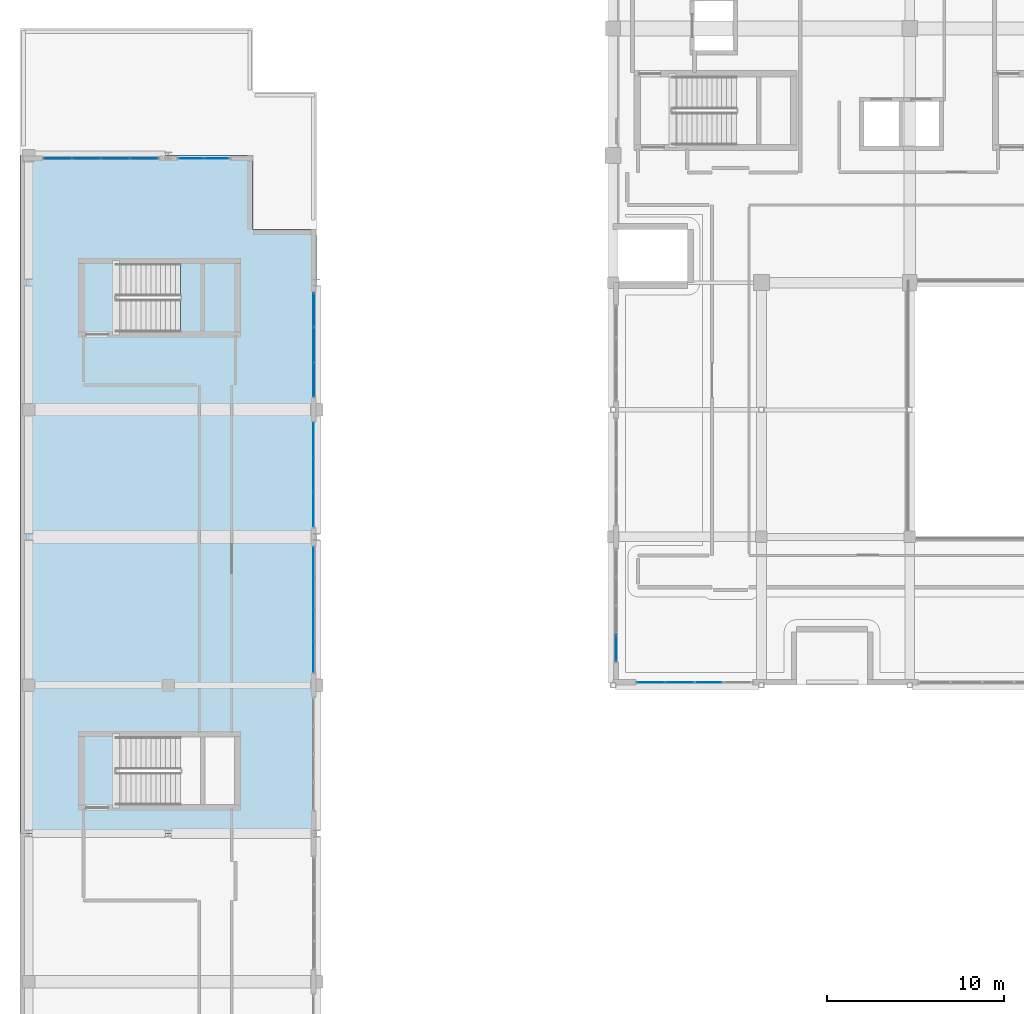
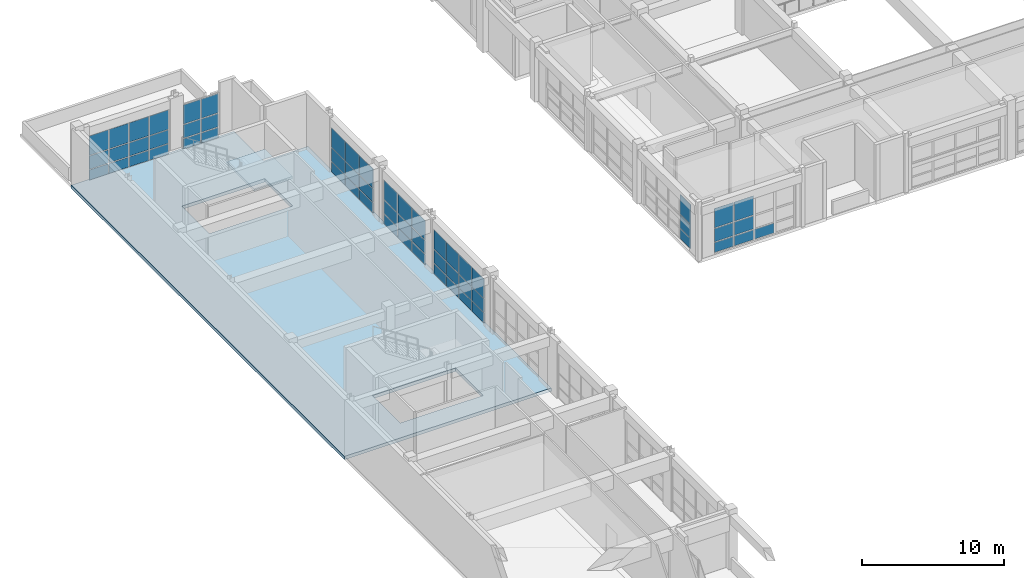
# One storey, part 51 of 78: 58 plates, 2 slabs, 8 elements without a shape of their own.
"""IFC4 building model written with IfcOpenShell, lengths in metres."""

from ifc_helpers import new_model, si_unit, direction, frame, origin, origin_2d, place, context, subcontext, project, spatial, polyline, rectangle, outline, extrude, material, layer, layer_set, type_object, element, aggregate, save


model = new_model("IFC4")

# Units and contexts
model_context = context("Model", 3, precision=1e-05, world=origin(), true_north=direction((0.0, 1.0)))
body_context = subcontext(model_context, "Body", "Model", "MODEL_VIEW")
ifc_project = project(units=[si_unit("LENGTHUNIT", "METRE"), si_unit("AREAUNIT", "SQUARE_METRE"), si_unit("VOLUMEUNIT", "CUBIC_METRE"), si_unit("PLANEANGLEUNIT", "RADIAN"), si_unit("MASSUNIT", "GRAM", prefix="KILO")], contexts=[model_context])

# Site, building, storey
site_placement = place(None, origin())
site = spatial("IfcSite", under=ifc_project, at=site_placement, CompositionType="ELEMENT")
building_placement = place(site_placement, origin())
building = spatial("IfcBuilding", under=site, at=building_placement, Name="Quendrovan Civic Courthouse", CompositionType="ELEMENT")
storey_placement = place(building_placement, frame((0.0, 0.0, 10.199951171875)))
storey = spatial("IfcBuildingStorey", under=building, at=storey_placement, Name="L03", CompositionType="ELEMENT", Elevation=10.199951171875)

# Curtain wall, plates
ifc_material_1 = material(Name="Bronze anodised aluminium and low-E glass", Category="aluminium")
ifc_layer_1 = layer(ifc_material_1, 0.179931640625, Name="Bronze anodised aluminium and low-E glass")
ifc_layer_set_1 = layer_set([ifc_layer_1], Name="Bronze anodised aluminium and low-E glass")
curtain_wall_type_1 = type_object("IfcCurtainWallType", Name="CW-U60x39", PredefinedType="USERDEFINED", material=ifc_layer_set_1)
curtain_wall_1_placement = place(storey_placement, origin())
curtain_wall_1 = element("IfcCurtainWall", 1, at=curtain_wall_1_placement, inside=storey, type_object=curtain_wall_type_1, Name="L03 Unitised Hurricane Curtain Wall CW-120", ObjectType="UNITISED CURTAIN WALL", PredefinedType="USERDEFINED")
ifc_material_2 = material(Name="Laminated hurricane-impact low-E glass", Category="glass")
ifc_layer_2 = layer(ifc_material_2, 0.028076171875, Name="Laminated hurricane-impact low-E glass")
ifc_layer_set_2 = layer_set([ifc_layer_2], Name="Laminated hurricane-impact low-E glass")
plate_type_1 = type_object("IfcPlateType", Name="CW-PNL-1", PredefinedType="CURTAIN_PANEL", material=ifc_layer_set_2)
plate_1_placement = place(storey_placement, frame((16.635009765625, 78.688720703125, 0.06982421875), z_axis=(0.0, 0.0, 1.0), x_axis=(0.0, -1.0, 0.0)))
plate_1 = element("IfcPlate", 2, at=plate_1_placement, type_object=plate_type_1, Name="CW-120 panel 1.1", PredefinedType="CURTAIN_PANEL", context=body_context, shape_type="SweptSolid", body=[
    extrude(rectangle(XDim=1.882568359375, YDim=0.028076171875, at=origin_2d()), origin(), (0.0, 0.0, 1.0), 0.844970703125),
])
plate_2_placement = place(storey_placement, frame((16.635009765625, 78.688720703125, 0.985107421875), z_axis=(0.0, 0.0, 1.0), x_axis=(0.0, -1.0, 0.0)))
plate_2 = element("IfcPlate", 3, at=plate_2_placement, type_object=plate_type_1, Name="CW-120 panel 1.2", PredefinedType="CURTAIN_PANEL", context=body_context, shape_type="SweptSolid", body=[
    extrude(rectangle(XDim=1.882568359375, YDim=0.028076171875, at=origin_2d()), origin(), (0.0, 0.0, 1.0), 1.1298828125),
])
plate_3_placement = place(storey_placement, frame((16.635009765625, 78.688720703125, 2.18505859375), z_axis=(0.0, 0.0, 1.0), x_axis=(0.0, -1.0, 0.0)))
plate_3 = element("IfcPlate", 4, at=plate_3_placement, type_object=plate_type_1, Name="CW-120 panel 1.3", PredefinedType="CURTAIN_PANEL", context=body_context, shape_type="SweptSolid", body=[
    extrude(rectangle(XDim=1.882568359375, YDim=0.028076171875, at=origin_2d()), origin(), (0.0, 0.0, 1.0), 1.64501953125),
])
plate_4_placement = place(storey_placement, frame((16.635009765625, 76.718505859375, 0.06982421875), z_axis=(0.0, 0.0, 1.0), x_axis=(0.0, -1.0, 0.0)))
plate_4 = element("IfcPlate", 5, at=plate_4_placement, type_object=plate_type_1, Name="CW-120 panel 2.1", PredefinedType="CURTAIN_PANEL", context=body_context, shape_type="SweptSolid", body=[
    extrude(rectangle(XDim=1.917724609375, YDim=0.028076171875, at=origin_2d()), origin(), (0.0, 0.0, 1.0), 0.844970703125),
])
plate_5_placement = place(storey_placement, frame((16.635009765625, 76.718505859375, 0.985107421875), z_axis=(0.0, 0.0, 1.0), x_axis=(0.0, -1.0, 0.0)))
plate_5 = element("IfcPlate", 6, at=plate_5_placement, type_object=plate_type_1, Name="CW-120 panel 2.2", PredefinedType="CURTAIN_PANEL", context=body_context, shape_type="SweptSolid", body=[
    extrude(rectangle(XDim=1.917724609375, YDim=0.028076171875, at=origin_2d()), origin(), (0.0, 0.0, 1.0), 1.1298828125),
])
plate_6_placement = place(storey_placement, frame((16.635009765625, 76.718505859375, 2.18505859375), z_axis=(0.0, 0.0, 1.0), x_axis=(0.0, -1.0, 0.0)))
plate_6 = element("IfcPlate", 7, at=plate_6_placement, type_object=plate_type_1, Name="CW-120 panel 2.3", PredefinedType="CURTAIN_PANEL", context=body_context, shape_type="SweptSolid", body=[
    extrude(rectangle(XDim=1.917724609375, YDim=0.028076171875, at=origin_2d()), origin(), (0.0, 0.0, 1.0), 1.64501953125),
])
plate_7_placement = place(storey_placement, frame((16.635009765625, 74.748291015625, 0.06982421875), z_axis=(0.0, 0.0, 1.0), x_axis=(0.0, -1.0, 0.0)))
plate_7 = element("IfcPlate", 8, at=plate_7_placement, type_object=plate_type_1, Name="CW-120 panel 3.1", PredefinedType="CURTAIN_PANEL", context=body_context, shape_type="SweptSolid", body=[
    extrude(rectangle(XDim=1.882568359375, YDim=0.028076171875, at=origin_2d()), origin(), (0.0, 0.0, 1.0), 0.844970703125),
])
plate_8_placement = place(storey_placement, frame((16.635009765625, 74.748291015625, 0.985107421875), z_axis=(0.0, 0.0, 1.0), x_axis=(0.0, -1.0, 0.0)))
plate_8 = element("IfcPlate", 9, at=plate_8_placement, type_object=plate_type_1, Name="CW-120 panel 3.2", PredefinedType="CURTAIN_PANEL", context=body_context, shape_type="SweptSolid", body=[
    extrude(rectangle(XDim=1.882568359375, YDim=0.028076171875, at=origin_2d()), origin(), (0.0, 0.0, 1.0), 1.1298828125),
])
plate_9_placement = place(storey_placement, frame((16.635009765625, 74.748291015625, 2.18505859375), z_axis=(0.0, 0.0, 1.0), x_axis=(0.0, -1.0, 0.0)))
plate_9 = element("IfcPlate", 10, at=plate_9_placement, type_object=plate_type_1, Name="CW-120 panel 3.3", PredefinedType="CURTAIN_PANEL", context=body_context, shape_type="SweptSolid", body=[
    extrude(rectangle(XDim=1.882568359375, YDim=0.028076171875, at=origin_2d()), origin(), (0.0, 0.0, 1.0), 1.64501953125),
])
aggregate(curtain_wall_1, [plate_1, plate_2, plate_3, plate_4, plate_5, plate_6, plate_7, plate_8, plate_9])

ifc_layer_3 = layer(ifc_material_1, 0.179931640625, Name="Bronze anodised aluminium and low-E glass")
ifc_layer_set_3 = layer_set([ifc_layer_3], Name="Bronze anodised aluminium and low-E glass")
curtain_wall_type_2 = type_object("IfcCurtainWallType", Name="CW-U66x39", PredefinedType="USERDEFINED", material=ifc_layer_set_3)
curtain_wall_2_placement = place(storey_placement, origin())
curtain_wall_2 = element("IfcCurtainWall", 11, at=curtain_wall_2_placement, inside=storey, type_object=curtain_wall_type_2, Name="L03 Unitised Hurricane Curtain Wall CW-136", ObjectType="UNITISED CURTAIN WALL", PredefinedType="USERDEFINED")
plate_10_placement = place(storey_placement, frame((39.02490234375, 64.965087890625, 0.06982421875), z_axis=(0.0, 0.0, 1.0), x_axis=(-1.0, 0.0, 0.0)))
plate_10 = element("IfcPlate", 12, at=plate_10_placement, type_object=plate_type_1, Name="CW-136 panel 2.1", PredefinedType="CURTAIN_PANEL", context=body_context, shape_type="SweptSolid", body=[
    extrude(rectangle(XDim=1.580078125, YDim=0.028076171875, at=origin_2d()), origin(), (0.0, 0.0, 1.0), 0.844970703125),
])
plate_11_placement = place(storey_placement, frame((37.375, 64.965087890625, 0.06982421875), z_axis=(0.0, 0.0, 1.0), x_axis=(-1.0, 0.0, 0.0)))
plate_11 = element("IfcPlate", 13, at=plate_11_placement, type_object=plate_type_1, Name="CW-136 panel 3.1", PredefinedType="CURTAIN_PANEL", context=body_context, shape_type="SweptSolid", body=[
    extrude(rectangle(XDim=1.580078125, YDim=0.028076171875, at=origin_2d()), origin(), (0.0, 0.0, 1.0), 0.844970703125),
])
plate_12_placement = place(storey_placement, frame((37.375, 64.965087890625, 0.985107421875), z_axis=(0.0, 0.0, 1.0), x_axis=(-1.0, 0.0, 0.0)))
plate_12 = element("IfcPlate", 14, at=plate_12_placement, type_object=plate_type_1, Name="CW-136 panel 3.2", PredefinedType="CURTAIN_PANEL", context=body_context, shape_type="SweptSolid", body=[
    extrude(rectangle(XDim=1.580078125, YDim=0.028076171875, at=origin_2d()), origin(), (0.0, 0.0, 1.0), 1.1298828125),
])
plate_13_placement = place(storey_placement, frame((37.375, 64.965087890625, 2.18505859375), z_axis=(0.0, 0.0, 1.0), x_axis=(-1.0, 0.0, 0.0)))
plate_13 = element("IfcPlate", 15, at=plate_13_placement, type_object=plate_type_1, Name="CW-136 panel 3.3", PredefinedType="CURTAIN_PANEL", context=body_context, shape_type="SweptSolid", body=[
    extrude(rectangle(XDim=1.580078125, YDim=0.028076171875, at=origin_2d()), origin(), (0.0, 0.0, 1.0), 1.64501953125),
])
plate_14_placement = place(storey_placement, frame((35.742431640625, 64.965087890625, 0.06982421875), z_axis=(0.0, 0.0, 1.0), x_axis=(-1.0, 0.0, 0.0)))
plate_14 = element("IfcPlate", 16, at=plate_14_placement, type_object=plate_type_1, Name="CW-136 panel 4.1", PredefinedType="CURTAIN_PANEL", context=body_context, shape_type="SweptSolid", body=[
    extrude(rectangle(XDim=1.544921875, YDim=0.028076171875, at=origin_2d()), origin(), (0.0, 0.0, 1.0), 0.844970703125),
])
plate_15_placement = place(storey_placement, frame((35.742431640625, 64.965087890625, 0.985107421875), z_axis=(0.0, 0.0, 1.0), x_axis=(-1.0, 0.0, 0.0)))
plate_15 = element("IfcPlate", 17, at=plate_15_placement, type_object=plate_type_1, Name="CW-136 panel 4.2", PredefinedType="CURTAIN_PANEL", context=body_context, shape_type="SweptSolid", body=[
    extrude(rectangle(XDim=1.544921875, YDim=0.028076171875, at=origin_2d()), origin(), (0.0, 0.0, 1.0), 1.1298828125),
])
plate_16_placement = place(storey_placement, frame((35.742431640625, 64.965087890625, 2.18505859375), z_axis=(0.0, 0.0, 1.0), x_axis=(-1.0, 0.0, 0.0)))
plate_16 = element("IfcPlate", 18, at=plate_16_placement, type_object=plate_type_1, Name="CW-136 panel 4.3", PredefinedType="CURTAIN_PANEL", context=body_context, shape_type="SweptSolid", body=[
    extrude(rectangle(XDim=1.544921875, YDim=0.028076171875, at=origin_2d()), origin(), (0.0, 0.0, 1.0), 1.64501953125),
])
aggregate(curtain_wall_2, [plate_10, plate_11, plate_12, plate_13, plate_14, plate_15, plate_16])

curtain_wall_3_placement = place(storey_placement, origin())
curtain_wall_3 = element("IfcCurtainWall", 19, at=curtain_wall_3_placement, inside=storey, type_object=curtain_wall_type_2, Name="L03 Unitised Hurricane Curtain Wall CW-117", ObjectType="UNITISED CURTAIN WALL", PredefinedType="USERDEFINED")
ifc_layer_4 = layer(ifc_material_2, 0.031982421875, Name="Laminated hurricane-impact low-E glass")
ifc_layer_set_4 = layer_set([ifc_layer_4], Name="Laminated hurricane-impact low-E glass")
plate_type_2 = type_object("IfcPlateType", Name="CW-PNL-2", PredefinedType="CURTAIN_PANEL", material=ifc_layer_set_4)
plate_17_placement = place(storey_placement, frame((2.13671875, 94.635009765625, 0.06494140625), z_axis=(0.0, 0.0, 1.0), x_axis=(1.0, 0.0, 0.0)))
plate_17 = element("IfcPlate", 20, at=plate_17_placement, type_object=plate_type_2, Name="CW-117 panel 1.1", PredefinedType="CURTAIN_PANEL", context=body_context, shape_type="SweptSolid", body=[
    extrude(rectangle(XDim=1.543212890625, YDim=0.031982421875, at=origin_2d()), origin(), (0.0, 0.0, 1.0), 0.8525390625),
])
plate_18_placement = place(storey_placement, frame((2.13671875, 94.635009765625, 0.982421875), z_axis=(0.0, 0.0, 1.0), x_axis=(1.0, 0.0, 0.0)))
plate_18 = element("IfcPlate", 21, at=plate_18_placement, type_object=plate_type_2, Name="CW-117 panel 1.2", PredefinedType="CURTAIN_PANEL", context=body_context, shape_type="SweptSolid", body=[
    extrude(rectangle(XDim=1.543212890625, YDim=0.031982421875, at=origin_2d()), origin(), (0.0, 0.0, 1.0), 1.135009765625),
])
plate_19_placement = place(storey_placement, frame((2.13671875, 94.635009765625, 2.1826171875), z_axis=(0.0, 0.0, 1.0), x_axis=(1.0, 0.0, 0.0)))
plate_19 = element("IfcPlate", 22, at=plate_19_placement, type_object=plate_type_2, Name="CW-117 panel 1.3", PredefinedType="CURTAIN_PANEL", context=body_context, shape_type="SweptSolid", body=[
    extrude(rectangle(XDim=1.543212890625, YDim=0.031982421875, at=origin_2d()), origin(), (0.0, 0.0, 1.0), 1.652587890625),
])
plate_20_placement = place(storey_placement, frame((3.76123046875, 94.635009765625, 0.06494140625), z_axis=(0.0, 0.0, 1.0), x_axis=(1.0, 0.0, 0.0)))
plate_20 = element("IfcPlate", 23, at=plate_20_placement, type_object=plate_type_2, Name="CW-117 panel 2.1", PredefinedType="CURTAIN_PANEL", context=body_context, shape_type="SweptSolid", body=[
    extrude(rectangle(XDim=1.57568359375, YDim=0.031982421875, at=origin_2d()), origin(), (0.0, 0.0, 1.0), 0.8525390625),
])
plate_21_placement = place(storey_placement, frame((3.76123046875, 94.635009765625, 0.982421875), z_axis=(0.0, 0.0, 1.0), x_axis=(1.0, 0.0, 0.0)))
plate_21 = element("IfcPlate", 24, at=plate_21_placement, type_object=plate_type_2, Name="CW-117 panel 2.2", PredefinedType="CURTAIN_PANEL", context=body_context, shape_type="SweptSolid", body=[
    extrude(rectangle(XDim=1.57568359375, YDim=0.031982421875, at=origin_2d()), origin(), (0.0, 0.0, 1.0), 1.135009765625),
])
plate_22_placement = place(storey_placement, frame((3.76123046875, 94.635009765625, 2.1826171875), z_axis=(0.0, 0.0, 1.0), x_axis=(1.0, 0.0, 0.0)))
plate_22 = element("IfcPlate", 25, at=plate_22_placement, type_object=plate_type_2, Name="CW-117 panel 2.3", PredefinedType="CURTAIN_PANEL", context=body_context, shape_type="SweptSolid", body=[
    extrude(rectangle(XDim=1.57568359375, YDim=0.031982421875, at=origin_2d()), origin(), (0.0, 0.0, 1.0), 1.652587890625),
])
plate_23_placement = place(storey_placement, frame((5.40185546875, 94.635009765625, 0.06494140625), z_axis=(0.0, 0.0, 1.0), x_axis=(1.0, 0.0, 0.0)))
plate_23 = element("IfcPlate", 26, at=plate_23_placement, type_object=plate_type_2, Name="CW-117 panel 3.1", PredefinedType="CURTAIN_PANEL", context=body_context, shape_type="SweptSolid", body=[
    extrude(rectangle(XDim=1.57568359375, YDim=0.031982421875, at=origin_2d()), origin(), (0.0, 0.0, 1.0), 0.8525390625),
])
plate_24_placement = place(storey_placement, frame((5.40185546875, 94.635009765625, 0.982421875), z_axis=(0.0, 0.0, 1.0), x_axis=(1.0, 0.0, 0.0)))
plate_24 = element("IfcPlate", 27, at=plate_24_placement, type_object=plate_type_2, Name="CW-117 panel 3.2", PredefinedType="CURTAIN_PANEL", context=body_context, shape_type="SweptSolid", body=[
    extrude(rectangle(XDim=1.57568359375, YDim=0.031982421875, at=origin_2d()), origin(), (0.0, 0.0, 1.0), 1.135009765625),
])
plate_25_placement = place(storey_placement, frame((5.40185546875, 94.635009765625, 2.1826171875), z_axis=(0.0, 0.0, 1.0), x_axis=(1.0, 0.0, 0.0)))
plate_25 = element("IfcPlate", 28, at=plate_25_placement, type_object=plate_type_2, Name="CW-117 panel 3.3", PredefinedType="CURTAIN_PANEL", context=body_context, shape_type="SweptSolid", body=[
    extrude(rectangle(XDim=1.57568359375, YDim=0.031982421875, at=origin_2d()), origin(), (0.0, 0.0, 1.0), 1.652587890625),
])
plate_26_placement = place(storey_placement, frame((7.0263671875, 94.635009765625, 0.06494140625), z_axis=(0.0, 0.0, 1.0), x_axis=(1.0, 0.0, 0.0)))
plate_26 = element("IfcPlate", 29, at=plate_26_placement, type_object=plate_type_2, Name="CW-117 panel 4.1", PredefinedType="CURTAIN_PANEL", context=body_context, shape_type="SweptSolid", body=[
    extrude(rectangle(XDim=1.543212890625, YDim=0.031982421875, at=origin_2d()), origin(), (0.0, 0.0, 1.0), 0.8525390625),
])
plate_27_placement = place(storey_placement, frame((7.0263671875, 94.635009765625, 0.982421875), z_axis=(0.0, 0.0, 1.0), x_axis=(1.0, 0.0, 0.0)))
plate_27 = element("IfcPlate", 30, at=plate_27_placement, type_object=plate_type_2, Name="CW-117 panel 4.2", PredefinedType="CURTAIN_PANEL", context=body_context, shape_type="SweptSolid", body=[
    extrude(rectangle(XDim=1.543212890625, YDim=0.031982421875, at=origin_2d()), origin(), (0.0, 0.0, 1.0), 1.135009765625),
])
plate_28_placement = place(storey_placement, frame((7.0263671875, 94.635009765625, 2.1826171875), z_axis=(0.0, 0.0, 1.0), x_axis=(1.0, 0.0, 0.0)))
plate_28 = element("IfcPlate", 31, at=plate_28_placement, type_object=plate_type_2, Name="CW-117 panel 4.3", PredefinedType="CURTAIN_PANEL", context=body_context, shape_type="SweptSolid", body=[
    extrude(rectangle(XDim=1.543212890625, YDim=0.031982421875, at=origin_2d()), origin(), (0.0, 0.0, 1.0), 1.652587890625),
])
aggregate(curtain_wall_3, [plate_17, plate_18, plate_19, plate_20, plate_21, plate_22, plate_23, plate_24, plate_25, plate_26, plate_27, plate_28])

ifc_layer_5 = layer(ifc_material_1, 0.179931640625, Name="Bronze anodised aluminium and low-E glass")
ifc_layer_set_5 = layer_set([ifc_layer_5], Name="Bronze anodised aluminium and low-E glass")
curtain_wall_type_3 = type_object("IfcCurtainWallType", Name="CW-U72x39", PredefinedType="USERDEFINED", material=ifc_layer_set_5)
curtain_wall_4_placement = place(storey_placement, origin())
curtain_wall_4 = element("IfcCurtainWall", 32, at=curtain_wall_4_placement, inside=storey, type_object=curtain_wall_type_3, Name="L03 Unitised Hurricane Curtain Wall CW-121", ObjectType="UNITISED CURTAIN WALL", PredefinedType="USERDEFINED")
plate_29_placement = place(storey_placement, frame((16.635009765625, 71.75146484375, 0.06494140625), z_axis=(0.0, 0.0, 1.0), x_axis=(0.0, -1.0, 0.0)))
plate_29 = element("IfcPlate", 33, at=plate_29_placement, type_object=plate_type_2, Name="CW-121 panel 1.1", PredefinedType="CURTAIN_PANEL", context=body_context, shape_type="SweptSolid", body=[
    extrude(rectangle(XDim=1.693359375, YDim=0.031982421875, at=origin_2d()), origin(), (0.0, 0.0, 1.0), 0.8525390625),
])
plate_30_placement = place(storey_placement, frame((16.635009765625, 71.75146484375, 0.982421875), z_axis=(0.0, 0.0, 1.0), x_axis=(0.0, -1.0, 0.0)))
plate_30 = element("IfcPlate", 34, at=plate_30_placement, type_object=plate_type_2, Name="CW-121 panel 1.2", PredefinedType="CURTAIN_PANEL", context=body_context, shape_type="SweptSolid", body=[
    extrude(rectangle(XDim=1.693359375, YDim=0.031982421875, at=origin_2d()), origin(), (0.0, 0.0, 1.0), 1.135009765625),
])
plate_31_placement = place(storey_placement, frame((16.635009765625, 71.75146484375, 2.1826171875), z_axis=(0.0, 0.0, 1.0), x_axis=(0.0, -1.0, 0.0)))
plate_31 = element("IfcPlate", 35, at=plate_31_placement, type_object=plate_type_2, Name="CW-121 panel 1.3", PredefinedType="CURTAIN_PANEL", context=body_context, shape_type="SweptSolid", body=[
    extrude(rectangle(XDim=1.693359375, YDim=0.031982421875, at=origin_2d()), origin(), (0.0, 0.0, 1.0), 1.652587890625),
])
plate_32_placement = place(storey_placement, frame((16.635009765625, 69.976806640625, 0.06494140625), z_axis=(0.0, 0.0, 1.0), x_axis=(0.0, -1.0, 0.0)))
plate_32 = element("IfcPlate", 36, at=plate_32_placement, type_object=plate_type_2, Name="CW-121 panel 2.1", PredefinedType="CURTAIN_PANEL", context=body_context, shape_type="SweptSolid", body=[
    extrude(rectangle(XDim=1.725830078125, YDim=0.031982421875, at=origin_2d()), origin(), (0.0, 0.0, 1.0), 0.8525390625),
])
plate_33_placement = place(storey_placement, frame((16.635009765625, 69.976806640625, 0.982421875), z_axis=(0.0, 0.0, 1.0), x_axis=(0.0, -1.0, 0.0)))
plate_33 = element("IfcPlate", 37, at=plate_33_placement, type_object=plate_type_2, Name="CW-121 panel 2.2", PredefinedType="CURTAIN_PANEL", context=body_context, shape_type="SweptSolid", body=[
    extrude(rectangle(XDim=1.725830078125, YDim=0.031982421875, at=origin_2d()), origin(), (0.0, 0.0, 1.0), 1.135009765625),
])
plate_34_placement = place(storey_placement, frame((16.635009765625, 69.976806640625, 2.1826171875), z_axis=(0.0, 0.0, 1.0), x_axis=(0.0, -1.0, 0.0)))
plate_34 = element("IfcPlate", 38, at=plate_34_placement, type_object=plate_type_2, Name="CW-121 panel 2.3", PredefinedType="CURTAIN_PANEL", context=body_context, shape_type="SweptSolid", body=[
    extrude(rectangle(XDim=1.725830078125, YDim=0.031982421875, at=origin_2d()), origin(), (0.0, 0.0, 1.0), 1.652587890625),
])
plate_35_placement = place(storey_placement, frame((16.635009765625, 68.18603515625, 0.06494140625), z_axis=(0.0, 0.0, 1.0), x_axis=(0.0, -1.0, 0.0)))
plate_35 = element("IfcPlate", 39, at=plate_35_placement, type_object=plate_type_2, Name="CW-121 panel 3.1", PredefinedType="CURTAIN_PANEL", context=body_context, shape_type="SweptSolid", body=[
    extrude(rectangle(XDim=1.725830078125, YDim=0.031982421875, at=origin_2d()), origin(), (0.0, 0.0, 1.0), 0.8525390625),
])
plate_36_placement = place(storey_placement, frame((16.635009765625, 68.18603515625, 0.982421875), z_axis=(0.0, 0.0, 1.0), x_axis=(0.0, -1.0, 0.0)))
plate_36 = element("IfcPlate", 40, at=plate_36_placement, type_object=plate_type_2, Name="CW-121 panel 3.2", PredefinedType="CURTAIN_PANEL", context=body_context, shape_type="SweptSolid", body=[
    extrude(rectangle(XDim=1.725830078125, YDim=0.031982421875, at=origin_2d()), origin(), (0.0, 0.0, 1.0), 1.135009765625),
])
plate_37_placement = place(storey_placement, frame((16.635009765625, 68.18603515625, 2.1826171875), z_axis=(0.0, 0.0, 1.0), x_axis=(0.0, -1.0, 0.0)))
plate_37 = element("IfcPlate", 41, at=plate_37_placement, type_object=plate_type_2, Name="CW-121 panel 3.3", PredefinedType="CURTAIN_PANEL", context=body_context, shape_type="SweptSolid", body=[
    extrude(rectangle(XDim=1.725830078125, YDim=0.031982421875, at=origin_2d()), origin(), (0.0, 0.0, 1.0), 1.652587890625),
])
plate_38_placement = place(storey_placement, frame((16.635009765625, 66.41162109375, 0.06494140625), z_axis=(0.0, 0.0, 1.0), x_axis=(0.0, -1.0, 0.0)))
plate_38 = element("IfcPlate", 42, at=plate_38_placement, type_object=plate_type_2, Name="CW-121 panel 4.1", PredefinedType="CURTAIN_PANEL", context=body_context, shape_type="SweptSolid", body=[
    extrude(rectangle(XDim=1.693359375, YDim=0.031982421875, at=origin_2d()), origin(), (0.0, 0.0, 1.0), 0.8525390625),
])
plate_39_placement = place(storey_placement, frame((16.635009765625, 66.41162109375, 0.982421875), z_axis=(0.0, 0.0, 1.0), x_axis=(0.0, -1.0, 0.0)))
plate_39 = element("IfcPlate", 43, at=plate_39_placement, type_object=plate_type_2, Name="CW-121 panel 4.2", PredefinedType="CURTAIN_PANEL", context=body_context, shape_type="SweptSolid", body=[
    extrude(rectangle(XDim=1.693359375, YDim=0.031982421875, at=origin_2d()), origin(), (0.0, 0.0, 1.0), 1.135009765625),
])
plate_40_placement = place(storey_placement, frame((16.635009765625, 66.41162109375, 2.1826171875), z_axis=(0.0, 0.0, 1.0), x_axis=(0.0, -1.0, 0.0)))
plate_40 = element("IfcPlate", 44, at=plate_40_placement, type_object=plate_type_2, Name="CW-121 panel 4.3", PredefinedType="CURTAIN_PANEL", context=body_context, shape_type="SweptSolid", body=[
    extrude(rectangle(XDim=1.693359375, YDim=0.031982421875, at=origin_2d()), origin(), (0.0, 0.0, 1.0), 1.652587890625),
])
aggregate(curtain_wall_4, [plate_29, plate_30, plate_31, plate_32, plate_33, plate_34, plate_35, plate_36, plate_37, plate_38, plate_39, plate_40])

ifc_layer_6 = layer(ifc_material_1, 0.179931640625, Name="Bronze anodised aluminium and low-E glass")
ifc_layer_set_6 = layer_set([ifc_layer_6], Name="Bronze anodised aluminium and low-E glass")
curtain_wall_type_4 = type_object("IfcCurtainWallType", Name="CW-U64x39", PredefinedType="USERDEFINED", material=ifc_layer_set_6)
curtain_wall_5_placement = place(storey_placement, origin())
curtain_wall_5 = element("IfcCurtainWall", 45, at=curtain_wall_5_placement, inside=storey, type_object=curtain_wall_type_4, Name="L03 Unitised Hurricane Curtain Wall CW-137", ObjectType="UNITISED CURTAIN WALL", PredefinedType="USERDEFINED")
plate_41_placement = place(storey_placement, frame((33.764892578125, 66.91943359375, 0.06494140625), z_axis=(0.0, 0.0, 1.0), x_axis=(0.0, 1.0, 0.0)))
plate_41 = element("IfcPlate", 46, at=plate_41_placement, type_object=plate_type_2, Name="CW-137 panel 1.1", PredefinedType="CURTAIN_PANEL", context=body_context, shape_type="SweptSolid", body=[
    extrude(rectangle(XDim=1.5087890625, YDim=0.031982421875, at=origin_2d()), origin(), (0.0, 0.0, 1.0), 0.8525390625),
])
plate_42_placement = place(storey_placement, frame((33.764892578125, 66.91943359375, 0.982421875), z_axis=(0.0, 0.0, 1.0), x_axis=(0.0, 1.0, 0.0)))
plate_42 = element("IfcPlate", 47, at=plate_42_placement, type_object=plate_type_2, Name="CW-137 panel 1.2", PredefinedType="CURTAIN_PANEL", context=body_context, shape_type="SweptSolid", body=[
    extrude(rectangle(XDim=1.5087890625, YDim=0.031982421875, at=origin_2d()), origin(), (0.0, 0.0, 1.0), 1.135009765625),
])
plate_43_placement = place(storey_placement, frame((33.764892578125, 66.91943359375, 2.1826171875), z_axis=(0.0, 0.0, 1.0), x_axis=(0.0, 1.0, 0.0)))
plate_43 = element("IfcPlate", 48, at=plate_43_placement, type_object=plate_type_2, Name="CW-137 panel 1.3", PredefinedType="CURTAIN_PANEL", context=body_context, shape_type="SweptSolid", body=[
    extrude(rectangle(XDim=1.5087890625, YDim=0.031982421875, at=origin_2d()), origin(), (0.0, 0.0, 1.0), 1.652587890625),
])
aggregate(curtain_wall_5, [plate_41, plate_42, plate_43])

ifc_layer_7 = layer(ifc_material_1, 0.179931640625, Name="Bronze anodised aluminium and low-E glass")
ifc_layer_set_7 = layer_set([ifc_layer_7], Name="Bronze anodised aluminium and low-E glass")
curtain_wall_type_5 = type_object("IfcCurtainWallType", Name="CW-U30x39", PredefinedType="USERDEFINED", material=ifc_layer_set_7)
curtain_wall_6_placement = place(storey_placement, origin())
curtain_wall_6 = element("IfcCurtainWall", 49, at=curtain_wall_6_placement, inside=storey, type_object=curtain_wall_type_5, Name="L03 Unitised Hurricane Curtain Wall CW-118", ObjectType="UNITISED CURTAIN WALL", PredefinedType="USERDEFINED")
ifc_layer_8 = layer(ifc_material_2, 0.035888671875, Name="Laminated hurricane-impact low-E glass")
ifc_layer_set_8 = layer_set([ifc_layer_8], Name="Laminated hurricane-impact low-E glass")
plate_type_3 = type_object("IfcPlateType", Name="CW-PNL-3", PredefinedType="CURTAIN_PANEL", material=ifc_layer_set_8)
plate_44_placement = place(storey_placement, frame((9.6953125, 94.635009765625, 0.06982421875), z_axis=(0.0, 0.0, 1.0), x_axis=(1.0, 0.0, 0.0)))
plate_44 = element("IfcPlate", 50, at=plate_44_placement, type_object=plate_type_3, Name="CW-118 panel 1.1", PredefinedType="CURTAIN_PANEL", context=body_context, shape_type="SweptSolid", body=[
    extrude(rectangle(XDim=1.37646484375, YDim=0.035888671875, at=origin_2d()), origin(), (0.0, 0.0, 1.0), 0.844970703125),
])
plate_45_placement = place(storey_placement, frame((9.6953125, 94.635009765625, 0.985107421875), z_axis=(0.0, 0.0, 1.0), x_axis=(1.0, 0.0, 0.0)))
plate_45 = element("IfcPlate", 51, at=plate_45_placement, type_object=plate_type_3, Name="CW-118 panel 1.2", PredefinedType="CURTAIN_PANEL", context=body_context, shape_type="SweptSolid", body=[
    extrude(rectangle(XDim=1.37646484375, YDim=0.035888671875, at=origin_2d()), origin(), (0.0, 0.0, 1.0), 1.1298828125),
])
plate_46_placement = place(storey_placement, frame((9.6953125, 94.635009765625, 2.18505859375), z_axis=(0.0, 0.0, 1.0), x_axis=(1.0, 0.0, 0.0)))
plate_46 = element("IfcPlate", 52, at=plate_46_placement, type_object=plate_type_3, Name="CW-118 panel 1.3", PredefinedType="CURTAIN_PANEL", context=body_context, shape_type="SweptSolid", body=[
    extrude(rectangle(XDim=1.37646484375, YDim=0.035888671875, at=origin_2d()), origin(), (0.0, 0.0, 1.0), 1.64501953125),
])
plate_47_placement = place(storey_placement, frame((11.141845703125, 94.635009765625, 0.06982421875), z_axis=(0.0, 0.0, 1.0), x_axis=(1.0, 0.0, 0.0)))
plate_47 = element("IfcPlate", 53, at=plate_47_placement, type_object=plate_type_3, Name="CW-118 panel 2.1", PredefinedType="CURTAIN_PANEL", context=body_context, shape_type="SweptSolid", body=[
    extrude(rectangle(XDim=1.37646484375, YDim=0.035888671875, at=origin_2d()), origin(), (0.0, 0.0, 1.0), 0.844970703125),
])
plate_48_placement = place(storey_placement, frame((11.141845703125, 94.635009765625, 0.985107421875), z_axis=(0.0, 0.0, 1.0), x_axis=(1.0, 0.0, 0.0)))
plate_48 = element("IfcPlate", 54, at=plate_48_placement, type_object=plate_type_3, Name="CW-118 panel 2.2", PredefinedType="CURTAIN_PANEL", context=body_context, shape_type="SweptSolid", body=[
    extrude(rectangle(XDim=1.37646484375, YDim=0.035888671875, at=origin_2d()), origin(), (0.0, 0.0, 1.0), 1.1298828125),
])
plate_49_placement = place(storey_placement, frame((11.141845703125, 94.635009765625, 2.18505859375), z_axis=(0.0, 0.0, 1.0), x_axis=(1.0, 0.0, 0.0)))
plate_49 = element("IfcPlate", 55, at=plate_49_placement, type_object=plate_type_3, Name="CW-118 panel 2.3", PredefinedType="CURTAIN_PANEL", context=body_context, shape_type="SweptSolid", body=[
    extrude(rectangle(XDim=1.37646484375, YDim=0.035888671875, at=origin_2d()), origin(), (0.0, 0.0, 1.0), 1.64501953125),
])
aggregate(curtain_wall_6, [plate_44, plate_45, plate_46, plate_47, plate_48, plate_49])

curtain_wall_7_placement = place(storey_placement, origin())
curtain_wall_7 = element("IfcCurtainWall", 56, at=curtain_wall_7_placement, inside=storey, type_object=curtain_wall_type_1, Name="L03 Unitised Hurricane Curtain Wall CW-119", ObjectType="UNITISED CURTAIN WALL", PredefinedType="USERDEFINED")
ifc_layer_9 = layer(ifc_material_2, 0.0419921875, Name="Laminated hurricane-impact low-E glass")
ifc_layer_set_9 = layer_set([ifc_layer_9], Name="Laminated hurricane-impact low-E glass")
plate_type_4 = type_object("IfcPlateType", Name="CW-PNL-4", PredefinedType="CURTAIN_PANEL", material=ifc_layer_set_9)
plate_50_placement = place(storey_placement, frame((16.635009765625, 86.052978515625, 0.06494140625), z_axis=(0.0, 0.0, 1.0), x_axis=(0.0, -1.0, 0.0)))
plate_50 = element("IfcPlate", 57, at=plate_50_placement, type_object=plate_type_4, Name="CW-119 panel 1.1", PredefinedType="CURTAIN_PANEL", context=body_context, shape_type="SweptSolid", body=[
    extrude(rectangle(XDim=1.89013671875, YDim=0.0419921875, at=origin_2d()), origin(), (0.0, 0.0, 1.0), 0.8525390625),
])
plate_51_placement = place(storey_placement, frame((16.635009765625, 86.052978515625, 0.982421875), z_axis=(0.0, 0.0, 1.0), x_axis=(0.0, -1.0, 0.0)))
plate_51 = element("IfcPlate", 58, at=plate_51_placement, type_object=plate_type_4, Name="CW-119 panel 1.2", PredefinedType="CURTAIN_PANEL", context=body_context, shape_type="SweptSolid", body=[
    extrude(rectangle(XDim=1.89013671875, YDim=0.0419921875, at=origin_2d()), origin(), (0.0, 0.0, 1.0), 1.135009765625),
])
plate_52_placement = place(storey_placement, frame((16.635009765625, 86.052978515625, 2.1826171875), z_axis=(0.0, 0.0, 1.0), x_axis=(0.0, -1.0, 0.0)))
plate_52 = element("IfcPlate", 59, at=plate_52_placement, type_object=plate_type_4, Name="CW-119 panel 1.3", PredefinedType="CURTAIN_PANEL", context=body_context, shape_type="SweptSolid", body=[
    extrude(rectangle(XDim=1.89013671875, YDim=0.0419921875, at=origin_2d()), origin(), (0.0, 0.0, 1.0), 1.652587890625),
])
plate_53_placement = place(storey_placement, frame((16.635009765625, 84.08154296875, 0.06494140625), z_axis=(0.0, 0.0, 1.0), x_axis=(0.0, -1.0, 0.0)))
plate_53 = element("IfcPlate", 60, at=plate_53_placement, type_object=plate_type_4, Name="CW-119 panel 2.1", PredefinedType="CURTAIN_PANEL", context=body_context, shape_type="SweptSolid", body=[
    extrude(rectangle(XDim=1.922607421875, YDim=0.0419921875, at=origin_2d()), origin(), (0.0, 0.0, 1.0), 0.8525390625),
])
plate_54_placement = place(storey_placement, frame((16.635009765625, 84.08154296875, 0.982421875), z_axis=(0.0, 0.0, 1.0), x_axis=(0.0, -1.0, 0.0)))
plate_54 = element("IfcPlate", 61, at=plate_54_placement, type_object=plate_type_4, Name="CW-119 panel 2.2", PredefinedType="CURTAIN_PANEL", context=body_context, shape_type="SweptSolid", body=[
    extrude(rectangle(XDim=1.922607421875, YDim=0.0419921875, at=origin_2d()), origin(), (0.0, 0.0, 1.0), 1.135009765625),
])
plate_55_placement = place(storey_placement, frame((16.635009765625, 84.08154296875, 2.1826171875), z_axis=(0.0, 0.0, 1.0), x_axis=(0.0, -1.0, 0.0)))
plate_55 = element("IfcPlate", 62, at=plate_55_placement, type_object=plate_type_4, Name="CW-119 panel 2.3", PredefinedType="CURTAIN_PANEL", context=body_context, shape_type="SweptSolid", body=[
    extrude(rectangle(XDim=1.922607421875, YDim=0.0419921875, at=origin_2d()), origin(), (0.0, 0.0, 1.0), 1.652587890625),
])
plate_56_placement = place(storey_placement, frame((16.635009765625, 82.110107421875, 0.06494140625), z_axis=(0.0, 0.0, 1.0), x_axis=(0.0, -1.0, 0.0)))
plate_56 = element("IfcPlate", 63, at=plate_56_placement, type_object=plate_type_4, Name="CW-119 panel 3.1", PredefinedType="CURTAIN_PANEL", context=body_context, shape_type="SweptSolid", body=[
    extrude(rectangle(XDim=1.89013671875, YDim=0.0419921875, at=origin_2d()), origin(), (0.0, 0.0, 1.0), 0.8525390625),
])
plate_57_placement = place(storey_placement, frame((16.635009765625, 82.110107421875, 0.982421875), z_axis=(0.0, 0.0, 1.0), x_axis=(0.0, -1.0, 0.0)))
plate_57 = element("IfcPlate", 64, at=plate_57_placement, type_object=plate_type_4, Name="CW-119 panel 3.2", PredefinedType="CURTAIN_PANEL", context=body_context, shape_type="SweptSolid", body=[
    extrude(rectangle(XDim=1.89013671875, YDim=0.0419921875, at=origin_2d()), origin(), (0.0, 0.0, 1.0), 1.135009765625),
])
plate_58_placement = place(storey_placement, frame((16.635009765625, 82.110107421875, 2.1826171875), z_axis=(0.0, 0.0, 1.0), x_axis=(0.0, -1.0, 0.0)))
plate_58 = element("IfcPlate", 65, at=plate_58_placement, type_object=plate_type_4, Name="CW-119 panel 3.3", PredefinedType="CURTAIN_PANEL", context=body_context, shape_type="SweptSolid", body=[
    extrude(rectangle(XDim=1.89013671875, YDim=0.0419921875, at=origin_2d()), origin(), (0.0, 0.0, 1.0), 1.652587890625),
])
aggregate(curtain_wall_7, [plate_50, plate_51, plate_52, plate_53, plate_54, plate_55, plate_56, plate_57, plate_58])

# Slab
ifc_material_3 = material(Name="Post-tensioned concrete C50/60", Category="concrete")
ifc_layer_10 = layer(ifc_material_3, 0.280029296875, Name="Post-tensioned concrete C50/60")
ifc_layer_set_10 = layer_set([ifc_layer_10], Name="Post-tensioned concrete C50/60")
slab_type_1 = type_object("IfcSlabType", Name="SLB-PT-280", PredefinedType="FLOOR", material=ifc_layer_set_10)
slab_1_placement = place(storey_placement, frame((0.0, 0.0, -0.280029296875)))
element("IfcSlab", 66, at=slab_1_placement, inside=storey, type_object=slab_type_1, Name="L03 Structural Floor Slab V4N", PredefinedType="FLOOR", context=body_context, shape_type="SweptSolid", body=[
    extrude(outline(polyline([(0.0, 56.39990234375), (0.0, 94.800048828125), (13.199951171875, 94.800048828125), (13.199951171875, 90.60009765625), (16.800048828125, 90.60009765625), (16.800048828125, 56.39990234375), (0.0, 56.39990234375)]), holes=[polyline([(5.449951171875, 58.0), (12.199951171875, 58.0), (12.199951171875, 61.8798828125), (5.449951171875, 61.8798828125), (5.449951171875, 58.0)]), polyline([(5.449951171875, 84.800048828125), (12.199951171875, 84.800048828125), (12.199951171875, 88.679931640625), (5.449951171875, 88.679931640625), (5.449951171875, 84.800048828125)])]), origin(), (0.0, 0.0, 1.0), 0.280029296875),
])

# Stair, slab
ifc_material_4 = material(Name="Precast concrete C45/55", Category="concrete")
stair_type = type_object("IfcStairType", Name="STR-FEAT-5100", PredefinedType="HALF_TURN_STAIR", material=ifc_material_4)
stair_placement = place(storey_placement, origin())
stair = element("IfcStair", 67, at=stair_placement, inside=storey, type_object=stair_type, Name="L03 North-West Law Library Exit Stair 8", PredefinedType="HALF_TURN_STAIR")
ifc_material_5 = material(Name="Concrete C40/50", Category="concrete")
ifc_layer_11 = layer(ifc_material_5, 0.199951171875, Name="Concrete C40/50")
ifc_layer_set_11 = layer_set([ifc_layer_11], Name="Concrete C40/50")
slab_type_2 = type_object("IfcSlabType", Name="SLB-STAIR-LND200", PredefinedType="LANDING", material=ifc_layer_set_11)
slab_2_placement = place(storey_placement, frame((0.0, 0.0, 2.35009765625)))
slab_2 = element("IfcSlab", 68, at=slab_2_placement, type_object=slab_type_2, Name="ST8 landing 1", PredefinedType="LANDING", context=body_context, shape_type="SweptSolid", body=[
    extrude(outline(polyline([(9.090087890625, 84.800048828125), (12.199951171875, 84.800048828125), (12.199951171875, 88.679931640625), (9.090087890625, 88.679931640625), (9.090087890625, 84.800048828125)])), origin(), (0.0, 0.0, 1.0), 0.199951171875),
])
aggregate(stair, [slab_2])

save(model, "model.ifc")
